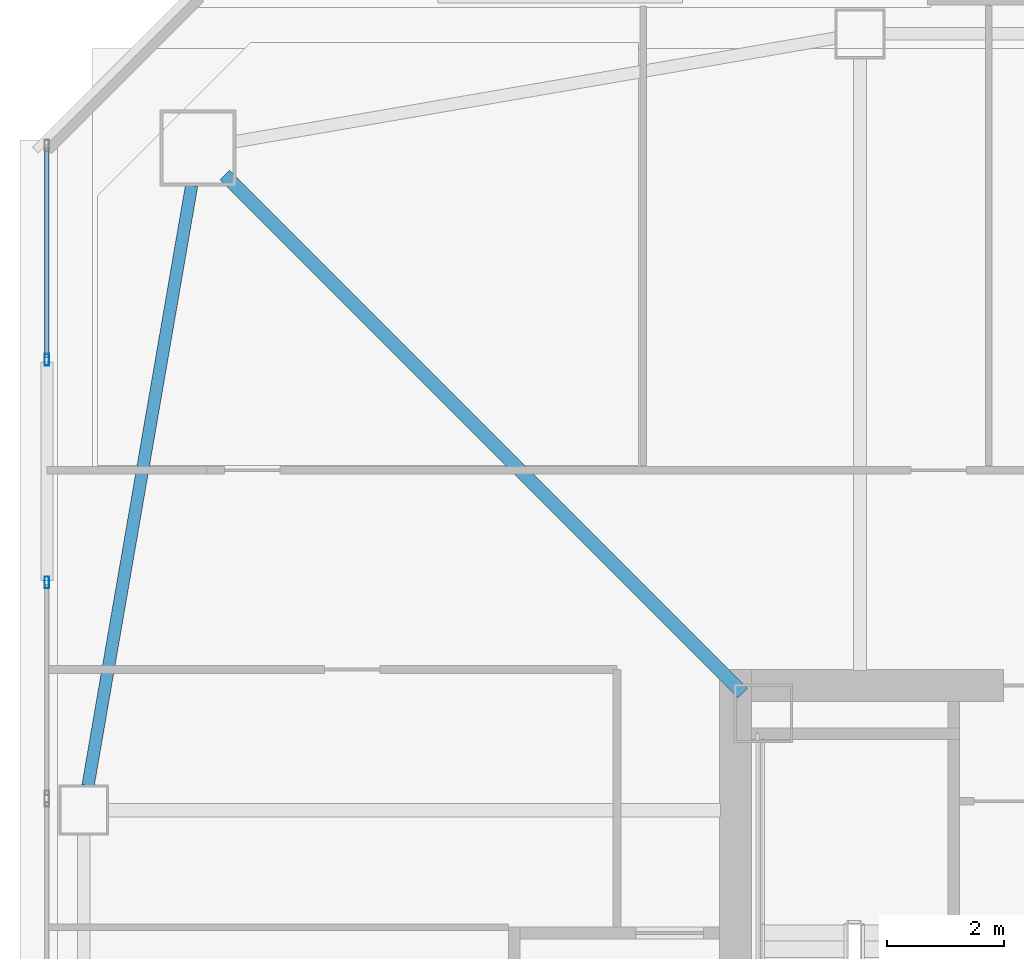
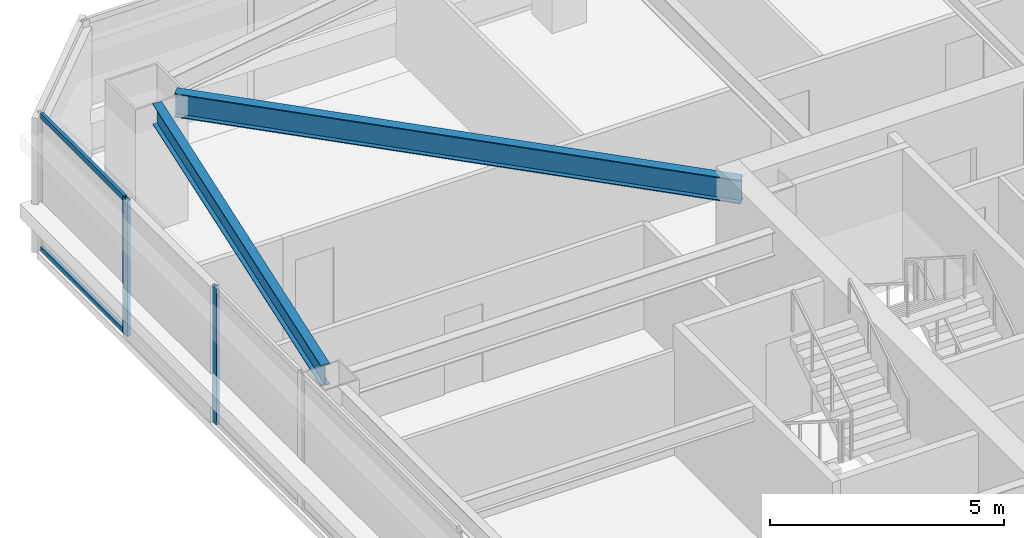
# One storey, part 13 of 46: 4 members, 2 beams, 2 elements without a shape of their own.
"""IFC4 building model written with IfcOpenShell, lengths in metres."""

from ifc_helpers import new_model, si_unit, direction, frame, origin, origin_2d, place, context, subcontext, project, spatial, hollow_rectangle, i_section, extrude, material, material_profile, profile_set, type_object, element, aggregate, save


model = new_model("IFC4")

# Units and contexts
model_context = context("Model", 3, precision=1e-05, world=origin(), true_north=direction((0.0, 1.0)))
body_context = subcontext(model_context, "Body", "Model", "MODEL_VIEW")
ifc_project = project(units=[si_unit("LENGTHUNIT", "METRE"), si_unit("AREAUNIT", "SQUARE_METRE"), si_unit("VOLUMEUNIT", "CUBIC_METRE"), si_unit("PLANEANGLEUNIT", "RADIAN"), si_unit("MASSUNIT", "GRAM", prefix="KILO")], contexts=[model_context])

# Site, building, storey
site_placement = place(None, origin())
site = spatial("IfcSite", under=ifc_project, at=site_placement, CompositionType="ELEMENT")
building_placement = place(site_placement, origin())
building = spatial("IfcBuilding", under=site, at=building_placement, Name="Tashvorn Skyway Center", CompositionType="ELEMENT")
storey_placement = place(building_placement, frame((0.0, 0.0, 139.25)))
storey = spatial("IfcBuildingStorey", under=building, at=storey_placement, Name="L37", CompositionType="ELEMENT", Elevation=139.25)

# Beams
ifc_material_1 = material(Name="Steel ASTM A992 Grade 50", Category="steel")
ifc_material_profile_1 = material_profile(ifc_material_1, i_section(OverallWidth=0.22998046875, OverallDepth=0.616943359375, WebThickness=0.01318359375, FlangeThickness=0.022216796875, at=origin_2d()), Name="W24X94")
ifc_profile_set_1 = profile_set([ifc_material_profile_1], Name="Steel ASTM A992 Grade 50")
beam_type_1 = type_object("IfcBeamType", Name="BM-BEAM-W24X94", PredefinedType="BEAM", material=ifc_profile_set_1)
beam_1_placement = place(storey_placement, frame((25.756103515625, 48.243896484375, 3.0615234375), z_axis=(0.707106781187, -0.707106781187, 0.0), x_axis=(0.707106781187, 0.707106781187, 0.0)))
element("IfcBeam", 1, at=beam_1_placement, inside=storey, type_object=beam_type_1, Name="Tower 1 L37 Primary Floor Girder MC-NW", PredefinedType="BEAM", context=body_context, shape_type="SweptSolid", body=[
    extrude(i_section(OverallWidth=0.22998046875, OverallDepth=0.616943359375, WebThickness=0.01318359375, FlangeThickness=0.022216796875, at=origin_2d()), origin(), (0.0, 0.0, 1.0), 12.50732421875),
])
ifc_material_profile_2 = material_profile(ifc_material_1, i_section(OverallWidth=0.2109375, OverallDepth=0.5390625, WebThickness=0.01171875, FlangeThickness=0.018798828125, at=origin_2d()), Name="W21X73")
ifc_profile_set_2 = profile_set([ifc_material_profile_2], Name="Steel ASTM A992 Grade 50")
beam_type_2 = type_object("IfcBeamType", Name="BM-SPANDREL-W21X73", PredefinedType="SPANDREL", material=ifc_profile_set_2)
beam_2_placement = place(storey_placement, frame((25.1904296875, 48.064453125, 3.1005859375), z_axis=(-0.170067250846, -0.985432458462, 0.0), x_axis=(0.985432458462, -0.170067250846, 0.0)))
element("IfcBeam", 2, at=beam_2_placement, inside=storey, type_object=beam_type_2, Name="Tower 1 L37 Spandrel Beam 10", PredefinedType="SPANDREL", context=body_context, shape_type="SweptSolid", body=[
    extrude(i_section(OverallWidth=0.2109375, OverallDepth=0.5390625, WebThickness=0.01171875, FlangeThickness=0.018798828125, at=origin_2d()), origin(), (0.0, 0.0, 1.0), 10.402099609375),
])

# Curtain wall, member
ifc_material_2 = material(Name="Thermally broken bronze-anodized aluminium 6063-T6", Category="aluminium")
curtain_wall_type = type_object("IfcCurtainWallType", Name="CW-CW-Z3", PredefinedType="NOTDEFINED", material=ifc_material_2)
curtain_wall_1_placement = place(storey_placement, origin())
curtain_wall_1 = element("IfcCurtainWall", 3, at=curtain_wall_1_placement, inside=storey, type_object=curtain_wall_type, Name="Tower 1 L37 West Unitised Curtain Wall Glazing Group 4", PredefinedType="NOTDEFINED")
ifc_material_profile_3 = material_profile(ifc_material_2, hollow_rectangle(XDim=0.074951171875, YDim=0.199951171875, WallThickness=0.00439453125, at=origin_2d()), Name="ALU-MULL-75x200")
ifc_profile_set_3 = profile_set([ifc_material_profile_3], Name="Thermally broken bronze-anodized aluminium 6063-T6")
member_type_1 = type_object("IfcMemberType", Name="CWM-CW-Z3", PredefinedType="MULLION", material=ifc_profile_set_3)
member_1_placement = place(storey_placement, frame((22.719970703125, 41.28466796875, 0.0), z_axis=(0.0, 0.0, 1.0), x_axis=(-1.0, 0.0, 0.0)))
member_1 = element("IfcMember", 4, at=member_1_placement, type_object=member_type_1, Name="CW-Z3 mullion 2", PredefinedType="MULLION", context=body_context, shape_type="SweptSolid", body=[
    extrude(hollow_rectangle(XDim=0.074951171875, YDim=0.199951171875, WallThickness=0.00439453125, at=origin_2d()), origin(), (0.0, 0.0, 1.0), 3.550048828125),
])
aggregate(curtain_wall_1, [member_1])

# Curtain wall, members
curtain_wall_2_placement = place(storey_placement, origin())
curtain_wall_2 = element("IfcCurtainWall", 5, at=curtain_wall_2_placement, inside=storey, type_object=curtain_wall_type, Name="Tower 1 L37 West Unitised Curtain Wall Glazing Group 5", PredefinedType="NOTDEFINED")
member_2_placement = place(storey_placement, frame((22.719970703125, 45.088623046875, 0.0), z_axis=(0.0, 0.0, 1.0), x_axis=(-1.0, 0.0, 0.0)))
member_2 = element("IfcMember", 6, at=member_2_placement, type_object=member_type_1, Name="CW-Z3 mullion 1", PredefinedType="MULLION", context=body_context, shape_type="SweptSolid", body=[
    extrude(hollow_rectangle(XDim=0.074951171875, YDim=0.199951171875, WallThickness=0.00439453125, at=origin_2d()), origin(), (0.0, 0.0, 1.0), 3.550048828125),
])
ifc_material_profile_4 = material_profile(ifc_material_2, hollow_rectangle(XDim=0.074951171875, YDim=0.139892578125, WallThickness=0.004150390625, at=origin_2d()), Name="ALU-TRAN-75x140")
ifc_profile_set_4 = profile_set([ifc_material_profile_4], Name="Thermally broken bronze-anodized aluminium 6063-T6")
member_type_2 = type_object("IfcMemberType", Name="CWT-CW-Z3", PredefinedType="USERDEFINED", material=ifc_profile_set_4)
member_3_placement = place(storey_placement, frame((22.719970703125, 45.126220703125, 0.03759765625), z_axis=(0.0, 1.0, 0.0), x_axis=(-1.0, 0.0, 0.0)))
member_3 = element("IfcMember", 7, at=member_3_placement, type_object=member_type_2, Name="CW-Z3 transom 1.1", ObjectType="TRANSOM", PredefinedType="USERDEFINED", context=body_context, shape_type="SweptSolid", body=[
    extrude(hollow_rectangle(XDim=0.074951171875, YDim=0.139892578125, WallThickness=0.004150390625, at=origin_2d()), origin(), (0.0, 0.0, 1.0), 3.578857421875),
])
member_4_placement = place(storey_placement, frame((22.719970703125, 45.126220703125, 3.512451171875), z_axis=(0.0, 1.0, 0.0), x_axis=(-1.0, 0.0, 0.0)))
member_4 = element("IfcMember", 8, at=member_4_placement, type_object=member_type_2, Name="CW-Z3 transom 1.2", ObjectType="TRANSOM", PredefinedType="USERDEFINED", context=body_context, shape_type="SweptSolid", body=[
    extrude(hollow_rectangle(XDim=0.074951171875, YDim=0.139892578125, WallThickness=0.004150390625, at=origin_2d()), origin(), (0.0, 0.0, 1.0), 3.578857421875),
])
aggregate(curtain_wall_2, [member_2, member_3, member_4])

save(model, "model.ifc")
